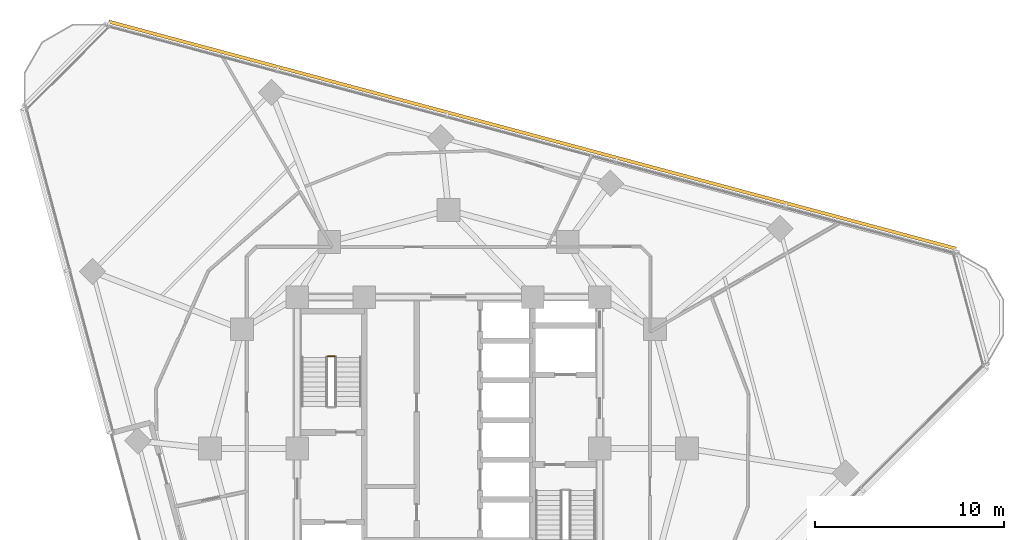
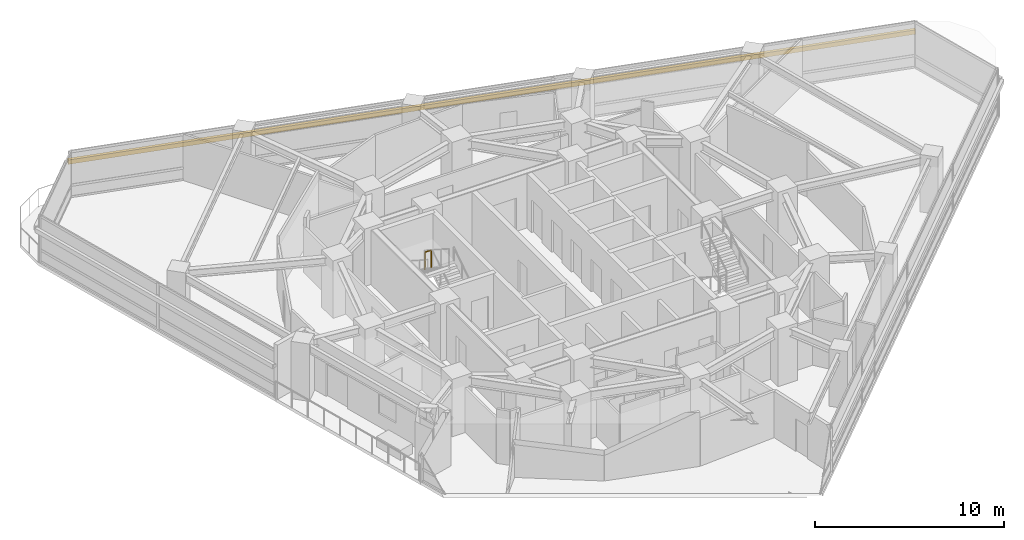
# One storey, part 13 of 14: 1 railing, 1 shading device.
"""IFC4 building model written with IfcOpenShell, lengths in metres."""

from ifc_helpers import new_model, si_unit, direction, frame, origin, origin_2d, place, context, subcontext, project, spatial, rectangle, circle, extrude, material, layer, layer_set, type_object, element, save


model = new_model("IFC4")

# Units and contexts
model_context = context("Model", 3, precision=1e-05, world=origin(), true_north=direction((0.0, 1.0)))
body_context = subcontext(model_context, "Body", "Model", "MODEL_VIEW")
ifc_project = project(units=[si_unit("LENGTHUNIT", "METRE"), si_unit("AREAUNIT", "SQUARE_METRE"), si_unit("VOLUMEUNIT", "CUBIC_METRE"), si_unit("PLANEANGLEUNIT", "RADIAN"), si_unit("MASSUNIT", "GRAM", prefix="KILO")], contexts=[model_context])

# Site, building, storey
site_placement = place(None, origin())
site = spatial("IfcSite", under=ifc_project, at=site_placement, CompositionType="ELEMENT")
building_placement = place(site_placement, origin())
building = spatial("IfcBuilding", under=site, at=building_placement, Name="Terralouvre Media Tower", CompositionType="ELEMENT")
storey_placement = place(building_placement, frame((0.0, 0.0, 206.39990234375)))
storey = spatial("IfcBuildingStorey", under=building, at=storey_placement, Name="L53", CompositionType="ELEMENT", Elevation=206.39990234375)

# Railing
ifc_material_1 = material(Name="Stainless steel 316 handrail and balustrade", Category="steel")
ifc_layer = layer(ifc_material_1, 0.050048828125, Name="Stairwell Safety Guardrail GR-INT1")
ifc_layer_set = layer_set([ifc_layer], Name="Stainless steel 316 handrail and balustrade")
railing_type = type_object("IfcRailingType", Name="Stairwell Safety Guardrail GR-INT1", PredefinedType="GUARDRAIL", material=ifc_layer_set)
railing_placement = place(storey_placement, frame((-6.0, 4.8701171875, 1.85009765625)))
element("IfcRailing", 1, at=railing_placement, inside=storey, type_object=railing_type, Name="L53 ST-01 stair guard 2", PredefinedType="GUARDRAIL", context=body_context, shape_type="SweptSolid", body=[
    extrude(circle(Radius=0.02392578125, at=origin_2d()), frame((0.0, 0.0, 1.1259765625), z_axis=(-1.0, 0.0, 0.0), x_axis=(0.0, -1.0, 0.0)), (0.0, 0.0, 1.0), 0.3798828125),
    extrude(circle(Radius=0.02099609375, at=origin_2d()), origin(), (0.0, 0.0, 1.0), 1.101806640625),
    extrude(circle(Radius=0.02099609375, at=origin_2d()), frame((-0.3798828125, 0.0, 0.0)), (0.0, 0.0, 1.0), 1.101806640625),
])

# Shading device
ifc_material_2 = material(Name="Extruded terracotta baguette sunshade louvres", Category="masonry")
shading_device_type = type_object("IfcShadingDeviceType", Name="Terracotta Baguette Sunshade Louvre Screen TB-LV1", PredefinedType="USERDEFINED", material=ifc_material_2)
shading_device_placement = place(storey_placement, frame((4.43701171875, 16.558837890625, 2.02392578125), z_axis=(0.0, 0.0, 1.0), x_axis=(-0.96592582942, 0.25881903342, 0.0)))
element("IfcShadingDevice", 2, at=shading_device_placement, inside=storey, type_object=shading_device_type, Name="CW-L53-F1 Terracotta Baguette Sunshade Louvre", ObjectType="BAGUETTE", PredefinedType="USERDEFINED", context=body_context, shape_type="SweptSolid", body=[
    extrude(rectangle(XDim=46.360107421875, YDim=0.179931640625, at=origin_2d()), origin(), (0.0, 0.0, 1.0), 0.280029296875),
])

save(model, "model.ifc")
